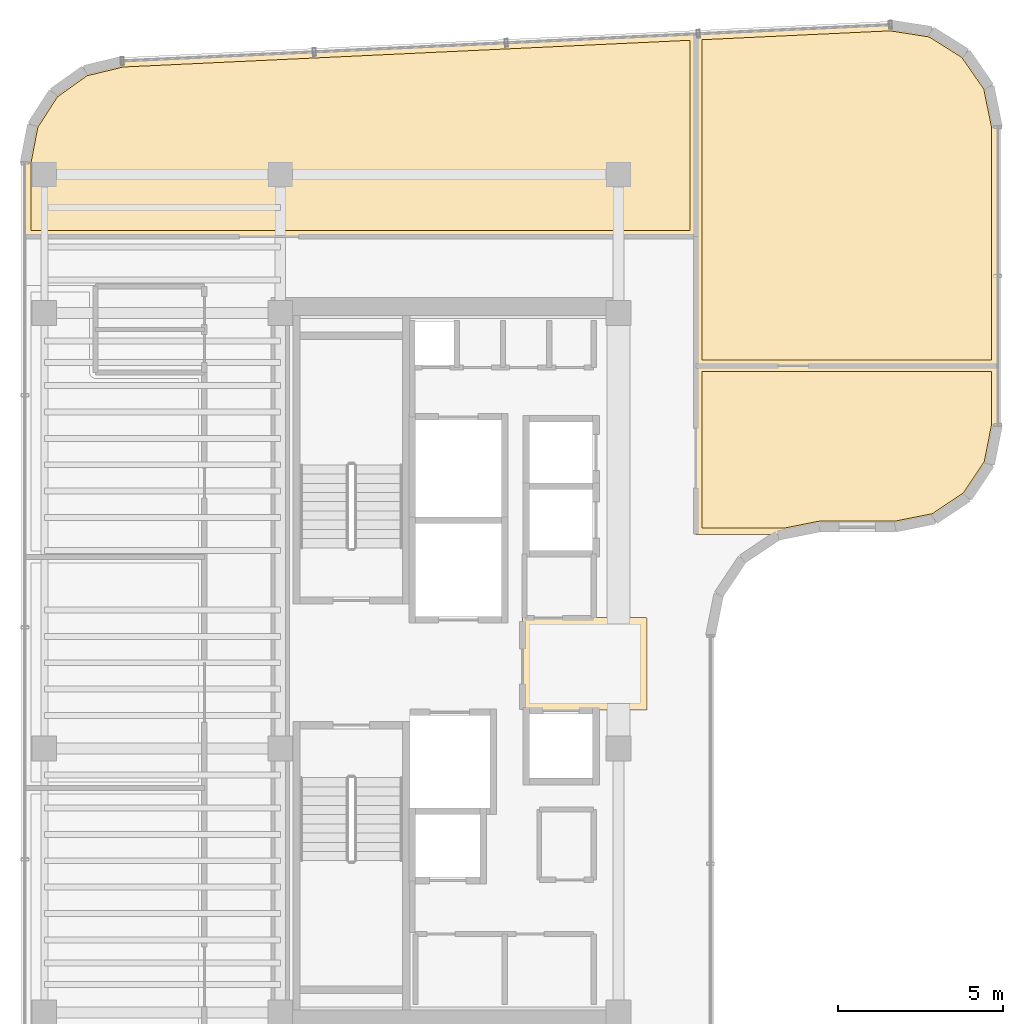
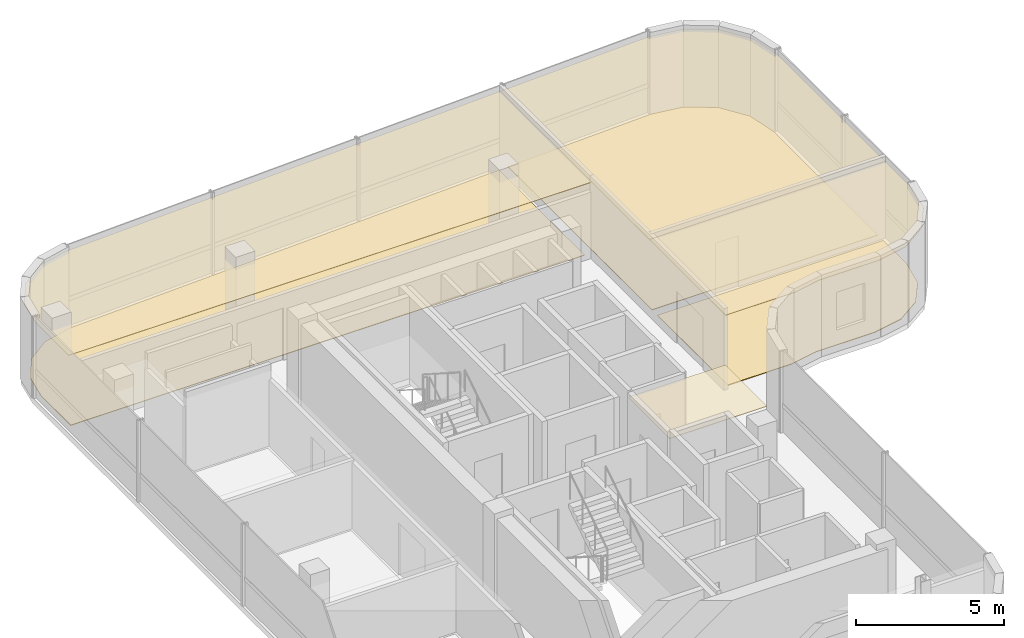
# One storey, part 17 of 17: 7 coverings.
"""IFC4 building model written with IfcOpenShell, lengths in metres."""

from ifc_helpers import new_model, si_unit, direction, frame, origin, place, context, subcontext, project, spatial, polyline, outline, extrude, material, layer, layer_set, type_object, element, save


model = new_model("IFC4")

# Units and contexts
model_context = context("Model", 3, precision=1e-05, world=origin(), true_north=direction((0.0, 1.0)))
body_context = subcontext(model_context, "Body", "Model", "MODEL_VIEW")
ifc_project = project(units=[si_unit("LENGTHUNIT", "METRE"), si_unit("AREAUNIT", "SQUARE_METRE"), si_unit("VOLUMEUNIT", "CUBIC_METRE"), si_unit("PLANEANGLEUNIT", "RADIAN"), si_unit("MASSUNIT", "GRAM", prefix="KILO")], contexts=[model_context])

# Site, building, storey
site_placement = place(None, origin())
site = spatial("IfcSite", under=ifc_project, at=site_placement, CompositionType="ELEMENT")
building_placement = place(site_placement, origin())
building = spatial("IfcBuilding", under=site, at=building_placement, Name="Valdorenza Pilgrim Sanctuary Tower", CompositionType="ELEMENT")
storey_placement = place(building_placement, frame((0.0, 0.0, 287.0)))
storey = spatial("IfcBuildingStorey", under=building, at=storey_placement, Name="L75", CompositionType="ELEMENT", Elevation=287.0)

# Coverings
ifc_material_1 = material(Name="Micro-perforated acoustic mineral ceiling tile", Category="gypsum")
ifc_layer_1 = layer(ifc_material_1, 0.02490234375, Name="Micro-perforated acoustic mineral ceiling tile")
ifc_layer_set_1 = layer_set([ifc_layer_1], Name="Micro-perforated acoustic mineral ceiling tile")
covering_type_1 = type_object("IfcCoveringType", Name="COV-CLG-ACU", PredefinedType="CEILING", material=ifc_layer_set_1)
covering_1_placement = place(storey_placement, frame((0.0, 0.0, 3.06005859375)))
element("IfcCovering", 1, at=covering_1_placement, inside=storey, type_object=covering_type_1, Name="L75 Core A Passenger Lift Lobby Acoustic Ceiling", PredefinedType="CEILING", context=body_context, shape_type="SweptSolid", body=[
    extrude(outline(polyline([(-15.31494140625, 1.35009765625), (-15.31494140625, 1.3515625), (-15.314697265625, 1.352783203125), (-15.314453125, 1.3544921875), (-15.31396484375, 1.355712890625), (-15.313232421875, 1.357177734375), (-15.3125, 1.3583984375), (-15.3115234375, 1.359619140625), (-15.310546875, 1.360595703125), (-15.3095703125, 1.361572265625), (-15.308349609375, 1.362548828125), (-15.30712890625, 1.36328125), (-15.3056640625, 1.364013671875), (-15.304443359375, 1.364501953125), (-15.302978515625, 1.36474609375), (-15.301513671875, 1.364990234375), (-15.300048828125, 1.364990234375), (-11.550048828125, 1.364990234375), (-11.548583984375, 1.364990234375), (-11.547119140625, 1.36474609375), (-11.545654296875, 1.364501953125), (-11.544189453125, 1.364013671875), (-11.54296875, 1.36328125), (-11.541748046875, 1.362548828125), (-11.54052734375, 1.361572265625), (-11.539306640625, 1.360595703125), (-11.538330078125, 1.359619140625), (-11.53759765625, 1.3583984375), (-11.536865234375, 1.357177734375), (-11.5361328125, 1.355712890625), (-11.53564453125, 1.3544921875), (-11.535400390625, 1.352783203125), (-11.53515625, 1.3515625), (-11.534912109375, 1.35009765625), (-11.534912109375, -1.419921875), (-11.53515625, -1.42138671875), (-11.535400390625, -1.4228515625), (-11.53564453125, -1.42431640625), (-11.5361328125, -1.42578125), (-11.536865234375, -1.427001953125), (-11.53759765625, -1.42822265625), (-11.538330078125, -1.429443359375), (-11.539306640625, -1.4306640625), (-11.54052734375, -1.431640625), (-11.541748046875, -1.4326171875), (-11.54296875, -1.43310546875), (-11.544189453125, -1.433837890625), (-11.545654296875, -1.434326171875), (-11.547119140625, -1.434814453125), (-11.548583984375, -1.434814453125), (-11.550048828125, -1.43505859375), (-15.298095703125, -1.43505859375), (-15.299560546875, -1.434814453125), (-15.30078125, -1.434814453125), (-15.302490234375, -1.434326171875), (-15.3037109375, -1.433837890625), (-15.30517578125, -1.43310546875), (-15.306396484375, -1.4326171875), (-15.3076171875, -1.431640625), (-15.30859375, -1.4306640625), (-15.3095703125, -1.429443359375), (-15.310546875, -1.42822265625), (-15.311279296875, -1.427001953125), (-15.31201171875, -1.42578125), (-15.3125, -1.42431640625), (-15.312744140625, -1.4228515625), (-15.31298828125, -1.42138671875), (-15.31298828125, -1.419921875), (-15.31298828125, 1.244384765625), (-15.31298828125, 1.24462890625), (-15.313720703125, 1.24609375), (-15.314208984375, 1.24755859375), (-15.314697265625, 1.2490234375), (-15.31494140625, 1.25048828125), (-15.31494140625, 1.251953125), (-15.31494140625, 1.35009765625)])), origin(), (0.0, 0.0, 1.0), 0.02490234375),
])
covering_2_placement = place(storey_placement, frame((0.0, 0.0, 3.06005859375)))
element("IfcCovering", 2, at=covering_2_placement, inside=storey, type_object=covering_type_1, Name="L75 Cloud Reading Lounge Acoustic Ceiling", PredefinedType="CEILING", context=body_context, shape_type="SweptSolid", body=[
    extrude(outline(polyline([(-30.389892578125, 12.905029296875), (-30.3916015625, 12.905029296875), (-30.392822265625, 12.9052734375), (-30.394287109375, 12.905517578125), (-30.395751953125, 12.906005859375), (-30.397216796875, 12.90673828125), (-30.398193359375, 12.907470703125), (-30.3994140625, 12.908447265625), (-30.400634765625, 12.909423828125), (-30.401611328125, 12.910400390625), (-30.402587890625, 12.91162109375), (-30.4033203125, 12.912841796875), (-30.40380859375, 12.914306640625), (-30.404296875, 12.91552734375), (-30.40478515625, 12.9169921875), (-30.40478515625, 12.91845703125), (-30.405029296875, 12.919921875), (-30.405029296875, 15.13671875), (-30.40478515625, 15.13818359375), (-30.40478515625, 15.1396484375), (-30.181396484375, 16.298095703125), (-30.180908203125, 16.299560546875), (-30.180419921875, 16.30078125), (-30.179931640625, 16.30224609375), (-30.17919921875, 16.303466796875), (-29.547119140625, 17.286865234375), (-29.546142578125, 17.2880859375), (-29.545166015625, 17.2890625), (-29.544189453125, 17.2900390625), (-29.54296875, 17.291015625), (-28.59033203125, 17.968994140625), (-28.589111328125, 17.9697265625), (-28.587890625, 17.97021484375), (-28.586669921875, 17.970947265625), (-28.585205078125, 17.97119140625), (-27.438720703125, 18.248779296875), (-27.437255859375, 18.249267578125), (-27.435791015625, 18.249267578125), (-10.05078125, 19.06884765625), (-10.04931640625, 19.06884765625), (-10.047607421875, 19.068603515625), (-10.046142578125, 19.068359375), (-10.044921875, 19.06787109375), (-10.04345703125, 19.0673828125), (-10.0419921875, 19.066650390625), (-10.040771484375, 19.065673828125), (-10.03955078125, 19.064697265625), (-10.03857421875, 19.063720703125), (-10.03759765625, 19.0625), (-10.036865234375, 19.06103515625), (-10.0361328125, 19.059814453125), (-10.03564453125, 19.058349609375), (-10.035400390625, 19.056884765625), (-10.03515625, 19.055419921875), (-10.034912109375, 19.053955078125), (-10.034912109375, 12.919921875), (-10.03515625, 12.91845703125), (-10.035400390625, 12.9169921875), (-10.03564453125, 12.91552734375), (-10.0361328125, 12.914306640625), (-10.036865234375, 12.912841796875), (-10.03759765625, 12.91162109375), (-10.038330078125, 12.910400390625), (-10.039306640625, 12.909423828125), (-10.04052734375, 12.908447265625), (-10.041748046875, 12.907470703125), (-10.04296875, 12.90673828125), (-10.044189453125, 12.906005859375), (-10.045654296875, 12.905517578125), (-10.047119140625, 12.9052734375), (-10.048583984375, 12.905029296875), (-10.050048828125, 12.905029296875), (-30.389892578125, 12.905029296875)])), origin(), (0.0, 0.0, 1.0), 0.02490234375),
])
covering_3_placement = place(storey_placement, frame((0.0, 0.0, 3.06005859375)))
element("IfcCovering", 3, at=covering_3_placement, inside=storey, type_object=covering_type_1, Name="L75 L75 Sacred Art Exhibition Gallery Acoustic Ceiling", PredefinedType="CEILING", context=body_context, shape_type="SweptSolid", body=[
    extrude(outline(polyline([(-10.06494140625, 9.0), (-10.06494140625, 9.00146484375), (-10.064697265625, 9.0029296875), (-10.064453125, 9.00439453125), (-10.06396484375, 9.005615234375), (-10.063232421875, 9.007080078125), (-10.0625, 9.00830078125), (-10.0615234375, 9.009521484375), (-10.060546875, 9.010498046875), (-10.0595703125, 9.01171875), (-10.058349609375, 9.012451171875), (-10.05712890625, 9.01318359375), (-10.0556640625, 9.013916015625), (-10.054443359375, 9.014404296875), (-10.052978515625, 9.0146484375), (-10.051513671875, 9.014892578125), (-10.050048828125, 9.014892578125), (-0.909912109375, 9.014892578125), (-0.908447265625, 9.014892578125), (-0.906982421875, 9.0146484375), (-0.905517578125, 9.014404296875), (-0.904296875, 9.013916015625), (-0.90283203125, 9.01318359375), (-0.901611328125, 9.012451171875), (-0.900390625, 9.01171875), (-0.8994140625, 9.010498046875), (-0.8984375, 9.009521484375), (-0.8974609375, 9.00830078125), (-0.896728515625, 9.007080078125), (-0.89599609375, 9.005615234375), (-0.8955078125, 9.00439453125), (-0.895263671875, 9.0029296875), (-0.89501953125, 9.00146484375), (-0.89501953125, 9.0), (-0.89501953125, 7.210693359375), (-0.89501953125, 7.20947265625), (-0.895263671875, 7.2080078125), (-1.132568359375, 6.015380859375), (-1.1328125, 6.013916015625), (-1.13330078125, 6.0126953125), (-1.134033203125, 6.01123046875), (-1.134765625, 6.010009765625), (-1.80419921875, 5.00830078125), (-1.804931640625, 5.007080078125), (-1.805908203125, 5.006103515625), (-1.80712890625, 5.0048828125), (-1.808349609375, 5.004150390625), (-2.81005859375, 4.334716796875), (-2.811279296875, 4.333984375), (-2.8125, 4.33349609375), (-2.81396484375, 4.3330078125), (-2.8154296875, 4.33251953125), (-4.0078125, 4.09521484375), (-4.009521484375, 4.09521484375), (-4.0107421875, 4.094970703125), (-6.299560546875, 4.094970703125), (-6.309326171875, 4.094482421875), (-6.31884765625, 4.093017578125), (-7.363525390625, 3.88525390625), (-7.364990234375, 3.885009765625), (-7.366455078125, 3.885009765625), (-10.050048828125, 3.885009765625), (-10.051513671875, 3.885009765625), (-10.052978515625, 3.88525390625), (-10.054443359375, 3.885498046875), (-10.0556640625, 3.885986328125), (-10.05712890625, 3.88671875), (-10.058349609375, 3.887451171875), (-10.0595703125, 3.888427734375), (-10.060546875, 3.889404296875), (-10.0615234375, 3.890380859375), (-10.0625, 3.8916015625), (-10.063232421875, 3.892822265625), (-10.06396484375, 3.894287109375), (-10.064453125, 3.8955078125), (-10.064697265625, 3.897216796875), (-10.06494140625, 3.8984375), (-10.06494140625, 3.89990234375), (-10.06494140625, 9.0)])), origin(), (0.0, 0.0, 1.0), 0.02490234375),
])
covering_4_placement = place(storey_placement, frame((0.0, 0.0, 3.06005859375)))
element("IfcCovering", 4, at=covering_4_placement, inside=storey, type_object=covering_type_1, Name="L75 L75 Theological Reference Library Acoustic Ceiling", PredefinedType="CEILING", context=body_context, shape_type="SweptSolid", body=[
    extrude(outline(polyline([(-10.06494140625, 12.91796875), (-10.06494140625, 12.91943359375), (-10.064697265625, 12.9208984375), (-10.064208984375, 12.922607421875), (-10.063720703125, 12.923828125), (-10.06298828125, 12.92529296875), (-10.06298828125, 12.925537109375), (-10.06298828125, 19.053955078125), (-10.06298828125, 19.053955078125), (-10.06298828125, 19.0546875), (-10.062744140625, 19.05615234375), (-10.0625, 19.0576171875), (-10.06201171875, 19.05908203125), (-10.0615234375, 19.060302734375), (-10.060791015625, 19.061767578125), (-10.06005859375, 19.06298828125), (-10.05908203125, 19.06396484375), (-10.05810546875, 19.065185546875), (-10.056884765625, 19.06591796875), (-10.0556640625, 19.06689453125), (-10.054443359375, 19.0673828125), (-10.052978515625, 19.068115234375), (-10.051513671875, 19.068603515625), (-10.05029296875, 19.06884765625), (-10.048583984375, 19.069091796875), (-4.157470703125, 19.3466796875), (-4.156005859375, 19.3466796875), (-4.154296875, 19.346435546875), (-2.91748046875, 19.153076171875), (-2.916015625, 19.152587890625), (-2.91455078125, 19.15234375), (-2.9130859375, 19.151611328125), (-2.911865234375, 19.15087890625), (-1.860595703125, 18.492431640625), (-1.859619140625, 18.49169921875), (-1.8583984375, 18.490478515625), (-1.857421875, 18.489501953125), (-1.8564453125, 18.48828125), (-1.149169921875, 17.46923828125), (-1.148193359375, 17.468017578125), (-1.147705078125, 17.466552734375), (-1.147216796875, 17.465087890625), (-1.146728515625, 17.463623046875), (-0.895263671875, 16.237548828125), (-0.89501953125, 16.236083984375), (-0.89501953125, 16.234375), (-0.89501953125, 9.001953125), (-0.89501953125, 9.00048828125), (-0.895263671875, 8.9990234375), (-0.8955078125, 8.99755859375), (-0.89599609375, 8.996337890625), (-0.896728515625, 8.994873046875), (-0.8974609375, 8.99365234375), (-0.8984375, 8.992431640625), (-0.8994140625, 8.991455078125), (-0.900390625, 8.990478515625), (-0.901611328125, 8.989501953125), (-0.90283203125, 8.98876953125), (-0.904296875, 8.988037109375), (-0.905517578125, 8.987548828125), (-0.906982421875, 8.9873046875), (-0.908447265625, 8.987060546875), (-0.909912109375, 8.987060546875), (-10.050048828125, 8.987060546875), (-10.051513671875, 8.987060546875), (-10.052978515625, 8.9873046875), (-10.054443359375, 8.987548828125), (-10.0556640625, 8.988037109375), (-10.05712890625, 8.98876953125), (-10.058349609375, 8.989501953125), (-10.0595703125, 8.990478515625), (-10.060546875, 8.991455078125), (-10.0615234375, 8.992431640625), (-10.0625, 8.99365234375), (-10.063232421875, 8.994873046875), (-10.06396484375, 8.996337890625), (-10.064453125, 8.99755859375), (-10.064697265625, 8.9990234375), (-10.06494140625, 9.00048828125), (-10.06494140625, 9.001953125), (-10.06494140625, 12.91796875)])), origin(), (0.0, 0.0, 1.0), 0.02490234375),
])
ifc_material_2 = material(Name="Honed travertine stone flooring", Category="masonry")
ifc_layer_2 = layer(ifc_material_2, 0.030029296875, Name="Honed travertine stone flooring")
ifc_layer_set_2 = layer_set([ifc_layer_2], Name="Honed travertine stone flooring")
covering_type_2 = type_object("IfcCoveringType", Name="COV-FLR-TRV", PredefinedType="FLOORING", material=ifc_layer_set_2)
covering_5_placement = place(storey_placement, origin())
element("IfcCovering", 5, at=covering_5_placement, inside=storey, type_object=covering_type_2, Name="L75 Cloud Reading Lounge Flooring", PredefinedType="FLOORING", context=body_context, shape_type="SweptSolid", body=[
    extrude(outline(polyline([(-30.2099609375, 13.10009765625), (-30.2099609375, 15.11962890625), (-29.996337890625, 16.227294921875), (-29.401611328125, 17.152099609375), (-28.505615234375, 17.789794921875), (-27.409423828125, 18.055419921875), (-10.22998046875, 18.865234375), (-10.22998046875, 13.10009765625), (-30.2099609375, 13.10009765625)])), origin(), (0.0, 0.0, 1.0), 0.02490234375),
])
covering_6_placement = place(storey_placement, origin())
element("IfcCovering", 6, at=covering_6_placement, inside=storey, type_object=covering_type_2, Name="L75 L75 Sacred Art Exhibition Gallery Flooring", PredefinedType="FLOORING", context=body_context, shape_type="SweptSolid", body=[
    extrude(outline(polyline([(-9.8701171875, 8.820068359375), (-1.090087890625, 8.820068359375), (-1.090087890625, 7.228515625), (-1.31689453125, 6.088623046875), (-1.9462890625, 5.146484375), (-2.888671875, 4.516845703125), (-4.028564453125, 4.2900390625), (-6.300048828125, 4.2900390625), (-6.308837890625, 4.289794921875), (-6.319580078125, 4.289306640625), (-6.337158203125, 4.28759765625), (-6.347900390625, 4.285888671875), (-6.356689453125, 4.284423828125), (-7.38427734375, 4.080078125), (-9.8701171875, 4.080078125), (-9.8701171875, 8.820068359375)])), origin(), (0.0, 0.0, 1.0), 0.02490234375),
])
covering_7_placement = place(storey_placement, origin())
element("IfcCovering", 7, at=covering_7_placement, inside=storey, type_object=covering_type_2, Name="L75 L75 Theological Reference Library Flooring", PredefinedType="FLOORING", context=body_context, shape_type="SweptSolid", body=[
    extrude(outline(polyline([(-9.8701171875, 12.89306640625), (-9.8701171875, 12.893310546875), (-9.8701171875, 12.893310546875), (-9.8681640625, 12.910888671875), (-9.8681640625, 12.9111328125), (-9.867919921875, 12.919921875), (-9.867919921875, 18.882080078125), (-4.16650390625, 19.15087890625), (-2.984130859375, 18.966064453125), (-1.99560546875, 18.3466796875), (-1.330322265625, 17.388427734375), (-1.090087890625, 16.21630859375), (-1.090087890625, 9.181884765625), (-9.8701171875, 9.181884765625), (-9.8701171875, 12.89306640625)])), origin(), (0.0, 0.0, 1.0), 0.02490234375),
])

save(model, "model.ifc")
